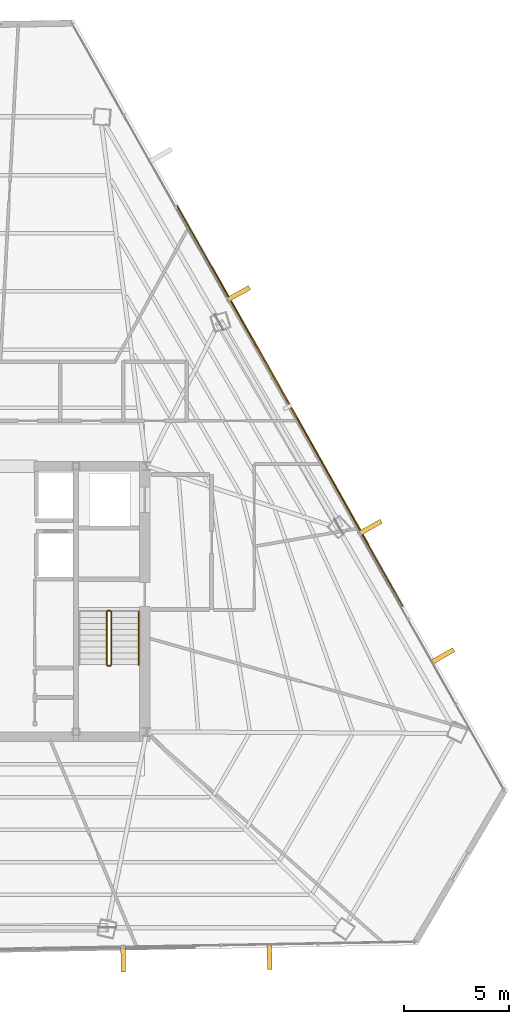
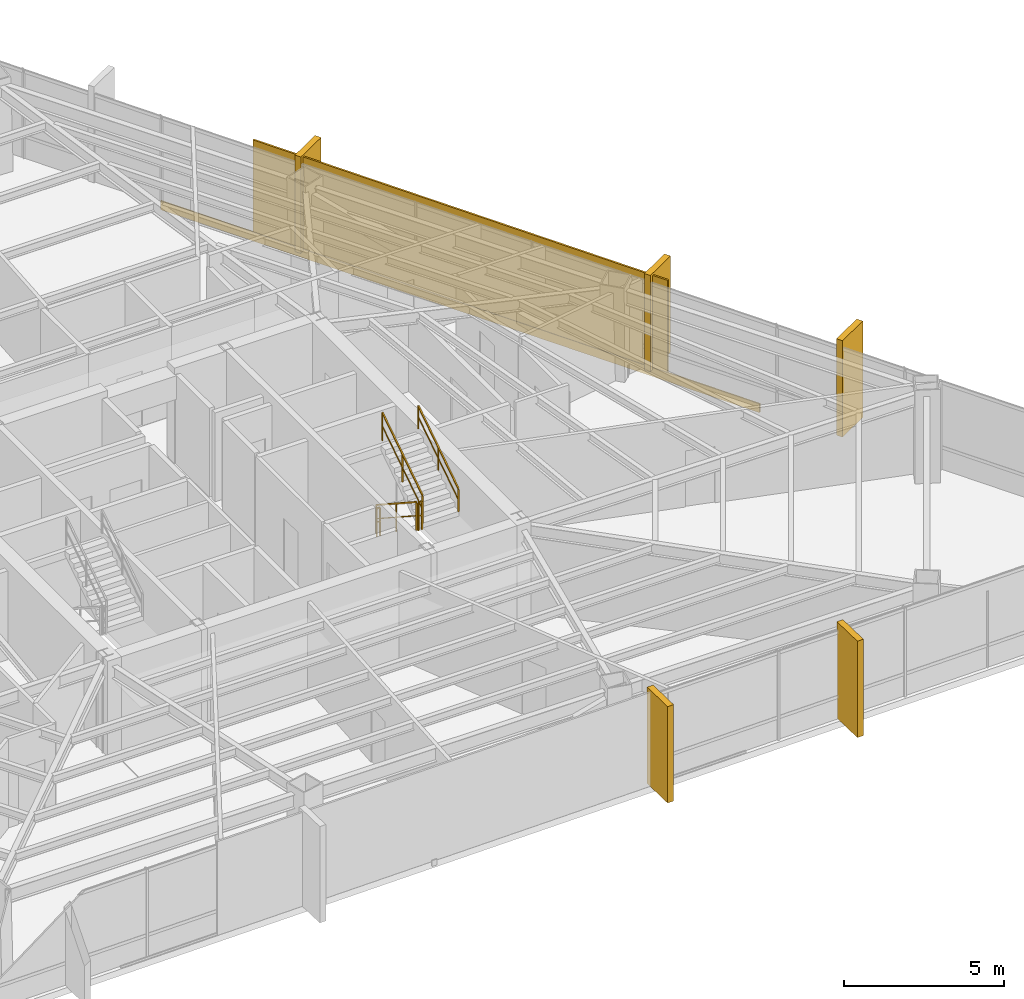
# One storey, part 41 of 42: 6 coverings, 5 railings, 1 shading device.
"""IFC4 building model written with IfcOpenShell, lengths in metres."""

from ifc_helpers import new_model, si_unit, direction, frame, origin, origin_2d, place, context, subcontext, project, spatial, rectangle, extrude, source, transform, mapped, material, layer, layer_set, type_object, type_shapes, element, save


model = new_model("IFC4")

# Units and contexts
model_context = context("Model", 3, precision=1e-05, world=origin(), true_north=direction((0.0, 1.0)))
body_context = subcontext(model_context, "Body", "Model", "MODEL_VIEW")
ifc_project = project(units=[si_unit("LENGTHUNIT", "METRE"), si_unit("AREAUNIT", "SQUARE_METRE"), si_unit("VOLUMEUNIT", "CUBIC_METRE"), si_unit("PLANEANGLEUNIT", "RADIAN"), si_unit("MASSUNIT", "GRAM", prefix="KILO")], contexts=[model_context])

# Site, building, storey
site_placement = place(None, origin())
site = spatial("IfcSite", under=ifc_project, at=site_placement, CompositionType="ELEMENT")
building_placement = place(site_placement, origin())
building = spatial("IfcBuilding", under=site, at=building_placement, Name="Caelisora Broadcast Tower", CompositionType="ELEMENT")
storey_placement = place(building_placement, frame((0.0, 0.0, 191.35009765625)))
storey = spatial("IfcBuildingStorey", under=building, at=storey_placement, Name="L50", CompositionType="ELEMENT", Elevation=191.35009765625)

# Railings
ifc_material_1 = material(Name="Galvanised Steel Safety Guardrail", Category="steel")
ifc_layer_1 = layer(ifc_material_1, 0.048095703125, Name="Galvanised Steel Safety Guardrail")
ifc_layer_set_1 = layer_set([ifc_layer_1], Name="Galvanised Steel Safety Guardrail")
railing_type_1 = type_object("IfcRailingType", Name="GR-1", PredefinedType="GUARDRAIL", material=ifc_layer_set_1)
railing_1_placement = place(storey_placement, frame((43.610107421875, 23.10009765625, 0.182373046875)))
element("IfcRailing", 1, at=railing_1_placement, inside=storey, type_object=railing_type_1, Name="L50 ST-2 stair guard 1", PredefinedType="GUARDRAIL", context=body_context, shape_type="SweptSolid", body=[
    extrude(rectangle(XDim=0.048095703125, YDim=0.048095703125, at=origin_2d()), frame((0.0, 0.0, 1.076171875), z_axis=(0.0, -0.837749427056, 0.546054848405), x_axis=(1.0, 0.0, 0.0)), (0.0, 0.0, 1.0), 3.008056640625),
    extrude(rectangle(XDim=0.03125, YDim=0.03125, at=origin_2d()), frame((0.0, 0.0, 0.550048828125), z_axis=(0.0, -0.837749427056, 0.546054848405), x_axis=(1.0, 0.0, 0.0)), (0.0, 0.0, 1.0), 3.008056640625),
    extrude(rectangle(XDim=0.0419921875, YDim=0.0419921875, at=origin_2d()), origin(), (0.0, 0.0, 1.0), 1.052001953125),
    extrude(rectangle(XDim=0.0419921875, YDim=0.0419921875, at=origin_2d()), frame((0.0, -1.260009765625, 0.8212890625)), (0.0, 0.0, 1.0), 1.052001953125),
    extrude(rectangle(XDim=0.0419921875, YDim=0.0419921875, at=origin_2d()), frame((0.0, -2.52001953125, 1.642578125)), (0.0, 0.0, 1.0), 1.052001953125),
])
railing_2_placement = place(storey_placement, frame((43.659912109375, 20.530029296875, 1.824951171875)))
element("IfcRailing", 2, at=railing_2_placement, inside=storey, type_object=railing_type_1, Name="L50 ST-2 stair guard 2", PredefinedType="GUARDRAIL", context=body_context, shape_type="SweptSolid", body=[
    extrude(rectangle(XDim=0.048095703125, YDim=0.048095703125, at=origin_2d()), frame((0.0, 0.0, 1.076171875), z_axis=(1.0, 0.0, 0.0), x_axis=(0.0, 1.0, 0.0)), (0.0, 0.0, 1.0), 0.1201171875),
    extrude(rectangle(XDim=0.03125, YDim=0.03125, at=origin_2d()), frame((0.0, 0.0, 0.550048828125), z_axis=(1.0, 0.0, 0.0), x_axis=(0.0, 1.0, 0.0)), (0.0, 0.0, 1.0), 0.1201171875),
    extrude(rectangle(XDim=0.0419921875, YDim=0.0419921875, at=origin_2d()), origin(), (0.0, 0.0, 1.0), 1.052001953125),
    extrude(rectangle(XDim=0.0419921875, YDim=0.0419921875, at=origin_2d()), frame((0.1201171875, 0.0, 0.0)), (0.0, 0.0, 1.0), 1.052001953125),
])
railing_3_placement = place(storey_placement, frame((43.830078125, 20.580078125, 2.00732421875)))
element("IfcRailing", 3, at=railing_3_placement, inside=storey, type_object=railing_type_1, Name="L50 ST-2 stair guard 3", PredefinedType="GUARDRAIL", context=body_context, shape_type="SweptSolid", body=[
    extrude(rectangle(XDim=0.048095703125, YDim=0.048095703125, at=origin_2d()), frame((0.0, 0.0, 1.076171875), z_axis=(0.0, 0.837749427056, 0.546054848405), x_axis=(-1.0, 0.0, 0.0)), (0.0, 0.0, 1.0), 3.008056640625),
    extrude(rectangle(XDim=0.03125, YDim=0.03125, at=origin_2d()), frame((0.0, 0.0, 0.550048828125), z_axis=(0.0, 0.837749427056, 0.546054848405), x_axis=(-1.0, 0.0, 0.0)), (0.0, 0.0, 1.0), 3.008056640625),
    extrude(rectangle(XDim=0.0419921875, YDim=0.0419921875, at=origin_2d()), origin(), (0.0, 0.0, 1.0), 1.052001953125),
    extrude(rectangle(XDim=0.0419921875, YDim=0.0419921875, at=origin_2d()), frame((0.0, 1.260009765625, 0.8212890625)), (0.0, 0.0, 1.0), 1.052001953125),
    extrude(rectangle(XDim=0.0419921875, YDim=0.0419921875, at=origin_2d()), frame((0.0, 2.52001953125, 1.642578125)), (0.0, 0.0, 1.0), 1.052001953125),
])
railing_4_placement = place(storey_placement, frame((43.659912109375, 23.14990234375, 0.0)))
element("IfcRailing", 4, at=railing_4_placement, inside=storey, type_object=railing_type_1, Name="L50 ST-2 stair guard 4", PredefinedType="GUARDRAIL", context=body_context, shape_type="SweptSolid", body=[
    extrude(rectangle(XDim=0.048095703125, YDim=0.048095703125, at=origin_2d()), frame((0.0, 0.0, 1.076171875), z_axis=(1.0, 0.0, 0.0), x_axis=(0.0, 1.0, 0.0)), (0.0, 0.0, 1.0), 0.1201171875),
    extrude(rectangle(XDim=0.03125, YDim=0.03125, at=origin_2d()), frame((0.0, 0.0, 0.550048828125), z_axis=(1.0, 0.0, 0.0), x_axis=(0.0, 1.0, 0.0)), (0.0, 0.0, 1.0), 0.1201171875),
    extrude(rectangle(XDim=0.0419921875, YDim=0.0419921875, at=origin_2d()), origin(), (0.0, 0.0, 1.0), 1.052001953125),
    extrude(rectangle(XDim=0.0419921875, YDim=0.0419921875, at=origin_2d()), frame((0.1201171875, 0.0, 0.0)), (0.0, 0.0, 1.0), 1.052001953125),
])
ifc_material_2 = material(Name="Stainless Steel Grade 316 Tubular Handrail", Category="steel")
ifc_layer_2 = layer(ifc_material_2, 0.048095703125, Name="Stainless Steel Grade 316 Tubular Handrail")
ifc_layer_set_2 = layer_set([ifc_layer_2], Name="Stainless Steel Grade 316 Tubular Handrail")
railing_type_2 = type_object("IfcRailingType", Name="HR-1", PredefinedType="HANDRAIL", material=ifc_layer_set_2)
railing_5_placement = place(storey_placement, frame((45.1298828125, 20.580078125, 2.00732421875)))
element("IfcRailing", 5, at=railing_5_placement, inside=storey, type_object=railing_type_2, Name="L50 ST-2 stair handrail 2", PredefinedType="HANDRAIL", context=body_context, shape_type="SweptSolid", body=[
    extrude(rectangle(XDim=0.048095703125, YDim=0.048095703125, at=origin_2d()), frame((0.0, 0.0, 0.8759765625), z_axis=(0.0, 0.837749427056, 0.546054848405), x_axis=(-1.0, 0.0, 0.0)), (0.0, 0.0, 1.0), 3.008056640625),
    extrude(rectangle(XDim=0.03125, YDim=0.03125, at=origin_2d()), frame((0.0, 0.0, 0.449951171875), z_axis=(0.0, 0.837749427056, 0.546054848405), x_axis=(-1.0, 0.0, 0.0)), (0.0, 0.0, 1.0), 3.008056640625),
    extrude(rectangle(XDim=0.0419921875, YDim=0.0419921875, at=origin_2d()), origin(), (0.0, 0.0, 1.0), 0.851806640625),
    extrude(rectangle(XDim=0.0419921875, YDim=0.0419921875, at=origin_2d()), frame((0.0, 1.260009765625, 0.8212890625)), (0.0, 0.0, 1.0), 0.851806640625),
    extrude(rectangle(XDim=0.0419921875, YDim=0.0419921875, at=origin_2d()), frame((0.0, 2.52001953125, 1.642578125)), (0.0, 0.0, 1.0), 0.851806640625),
])

# Coverings
ifc_material_3 = material(Name="Kiln-Fired Terracotta Spandrel Rainscreen Cladding", Category="ceramic")
ifc_layer_3 = layer(ifc_material_3, 0.044921875, Name="Kiln-Fired Terracotta Spandrel Rainscreen Cladding")
ifc_layer_set_3 = layer_set([ifc_layer_3], Name="Kiln-Fired Terracotta Spandrel Rainscreen Cladding")
covering_type = type_object("IfcCoveringType", Name="CL-1", PredefinedType="CLADDING", material=ifc_layer_set_3)
shared_shape_1 = source(origin(), body_context, "Body", "SweptSolid", [
    extrude(rectangle(XDim=0.219970703125, YDim=1.25, at=origin_2d()), origin(), (0.0, 0.0, 1.0), 3.68994140625),
])
for number, where, z_axis, x_axis, name in (
    (6, (49.8388671875, 38.16552734375, -0.02001953125), (0.0, 0.0, 1.0), (0.491055801632, -0.871128118983, 0.0), "L50 vertical solar fin cladding #1-2"),
    (7, (56.087158203125, 27.080810546875, -0.02001953125), (0.0, 0.0, 1.0), (0.491055801632, -0.871128118983, 0.0), "L50 vertical solar fin cladding #1-3"),
    (8, (59.52294921875, 20.9853515625, -0.02001953125), (0.0, 0.0, 1.0), (0.491055801632, -0.871128118983, 0.0), "L50 vertical solar fin cladding #1-4"),
    (9, (51.326904296875, 6.75439453125, -0.02001953125), (0.0, 0.0, 1.0), (-0.999844633908, -0.017626912514, 0.0), "L50 vertical solar fin cladding #2-1"),
    (10, (44.3876953125, 6.6318359375, -0.02001953125), (0.0, 0.0, 1.0), (-0.999844633908, -0.017626912514, 0.0), "L50 vertical solar fin cladding #2-2"),
):
    element("IfcCovering", number, at=place(storey_placement, frame(where, z_axis=z_axis, x_axis=x_axis)), inside=storey, type_object=covering_type, Name=name, PredefinedType="CLADDING", context=body_context, shape_type="MappedRepresentation", body=[
        mapped(shared_shape_1, transform((0.0, 0.0, 0.0), scale=1.0)),
    ])

# Shading device
ifc_material_4 = material(Name="Perforated Glazed Terracotta Baguette Solar Screen", Category="ceramic")
ifc_layer_4 = layer(ifc_material_4, 0.06494140625, Name="Perforated Glazed Terracotta Baguette Solar Screen")
ifc_layer_set_4 = layer_set([ifc_layer_4], Name="Perforated Glazed Terracotta Baguette Solar Screen")
shading_device_type = type_object("IfcShadingDeviceType", Name="SS-1", PredefinedType="USERDEFINED", material=ifc_layer_set_4)
shared_shape_2 = source(origin(), body_context, "Body", "SweptSolid", [
    extrude(rectangle(XDim=15.10205078125, YDim=0.06494140625, at=origin_2d()), origin(), (0.0, 0.0, 1.0), 3.590087890625),
])
type_shapes(shading_device_type, [shared_shape_2])
shading_device_placement = place(storey_placement, frame((52.309814453125, 32.865966796875, 0.0), z_axis=(0.0, 0.0, 1.0), x_axis=(-0.491055801632, 0.871128118983, 0.0)))
element("IfcShadingDevice", 11, at=shading_device_placement, inside=storey, type_object=shading_device_type, Name="L50 perforated terracotta solar screen #3", ObjectType="SOLAR SCREEN", PredefinedType="USERDEFINED", context=body_context, shape_type="MappedRepresentation", body=[
    mapped(shared_shape_2, transform((0.0, 0.0, 0.0), scale=1.0)),
])

# Covering
shared_shape_3 = source(origin(), body_context, "Body", "SweptSolid", [
    extrude(rectangle(XDim=21.81396484375, YDim=0.044921875, at=origin_2d()), origin(), (0.0, 0.0, 1.0), 0.340087890625),
])
type_shapes(covering_type, [shared_shape_1, shared_shape_3])
covering_placement = place(storey_placement, frame((52.292236328125, 32.85595703125, -0.27001953125), z_axis=(0.0, 0.0, 1.0), x_axis=(-0.491055801632, 0.871128118983, 0.0)))
element("IfcCovering", 12, at=covering_placement, inside=storey, type_object=covering_type, Name="L50 terracotta spandrel rainscreen #3", PredefinedType="CLADDING", context=body_context, shape_type="MappedRepresentation", body=[
    mapped(shared_shape_3, transform((0.0, 0.0, 0.0), scale=1.0)),
])

save(model, "model.ifc")
